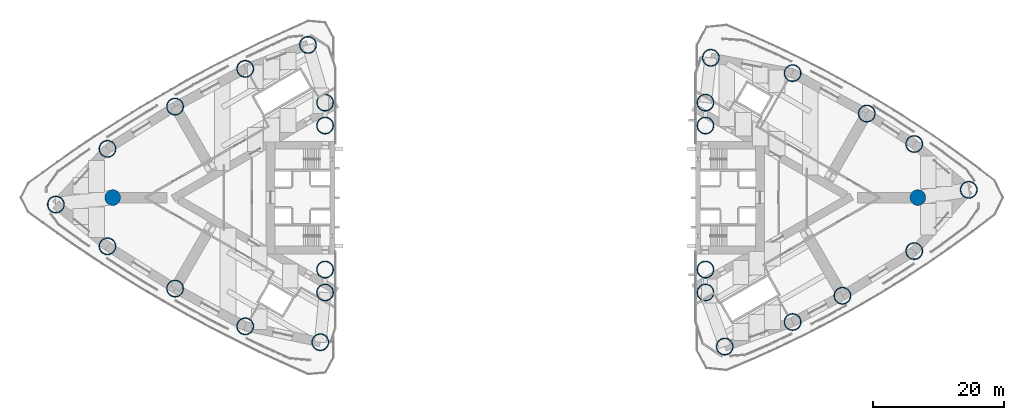
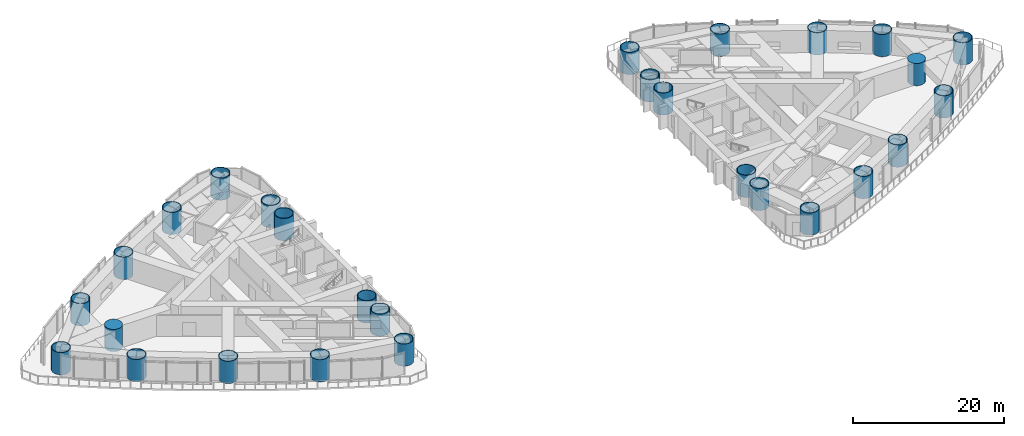
# One storey, part 1 of 19: 28 columns.
"""IFC4 building model written with IfcOpenShell, lengths in metres."""

from ifc_helpers import new_model, si_unit, direction, frame, origin, origin_2d, place, context, subcontext, project, spatial, circle, hollow_circle, extrude, material, material_profile, profile_set, type_object, element, save


model = new_model("IFC4")

# Units and contexts
model_context = context("Model", 3, precision=1e-05, world=origin(), true_north=direction((0.0, 1.0)))
body_context = subcontext(model_context, "Body", "Model", "MODEL_VIEW")
ifc_project = project(units=[si_unit("LENGTHUNIT", "METRE"), si_unit("AREAUNIT", "SQUARE_METRE"), si_unit("VOLUMEUNIT", "CUBIC_METRE"), si_unit("PLANEANGLEUNIT", "RADIAN"), si_unit("MASSUNIT", "GRAM", prefix="KILO")], contexts=[model_context])

# Site, building, storey
site_placement = place(None, origin())
site = spatial("IfcSite", under=ifc_project, at=site_placement, CompositionType="ELEMENT")
building_placement = place(site_placement, origin())
building = spatial("IfcBuilding", under=site, at=building_placement, Name="Lancet Gate Hotel", CompositionType="ELEMENT")
storey_placement = place(building_placement, frame((0.0, 0.0, 87.0)))
storey = spatial("IfcBuildingStorey", under=building, at=storey_placement, Name="L22", CompositionType="ELEMENT", Elevation=87.0)

# Columns
ifc_material_1 = material(Name="Concrete C80/95", Category="concrete")
ifc_material_profile_1 = material_profile(ifc_material_1, circle(Radius=1.199951171875, at=origin_2d()), Name="RC D2400")
ifc_profile_set_1 = profile_set([ifc_material_profile_1], Name="Concrete C80/95")
column_type_1 = type_object("IfcColumnType", Name="Apex column RC D2400", PredefinedType="COLUMN", material=ifc_profile_set_1)
for number, where, z_axis, x_axis, name in (
    (1, (-61.5, 0.0, 0.0), (0.0, 0.0, 1.0), (1.0, 0.0, 0.0), "T1 column AX L22"),
    (2, (61.5, 0.0, 0.0), (0.0, 0.0, 1.0), (1.0, 0.0, 0.0), "T2 column AX L22"),
):
    element("IfcColumn", number, at=place(storey_placement, frame(where, z_axis=z_axis, x_axis=x_axis)), inside=storey, type_object=column_type_1, Name=name, PredefinedType="COLUMN", context=body_context, shape_type="SweptSolid", body=[
        extrude(circle(Radius=1.199951171875, at=origin_2d()), origin(), (0.0, 0.0, 1.0), 3.60009765625),
    ])
ifc_material_2 = material(Name="Composite filled tube, grade 460 plate, grade 80/95 fill", Category="composite")
ifc_material_profile_2 = material_profile(ifc_material_2, hollow_circle(Radius=1.300048828125, WallThickness=0.10009765625, at=origin_2d()), Name="CHS 2600x100")
ifc_profile_set_2 = profile_set([ifc_material_profile_2], Name="Composite filled tube, grade 460 plate, grade 80/95 fill")
column_type_2 = type_object("IfcColumnType", Name="Apex corner column CFT CHS 2600x100", PredefinedType="COLUMN", material=ifc_profile_set_2)
for number, where, z_axis, x_axis, name in (
    (3, (-70.16796875, -1.06005859375, 0.0), (0.0, 0.0, 1.0), (1.0, 0.0, 0.0), "T1 column CA L22"),
    (4, (69.268798828125, 1.1865234375, 0.0), (0.0, 0.0, 1.0), (1.0, 0.0, 0.0), "T2 column CA L22"),
):
    element("IfcColumn", number, at=place(storey_placement, frame(where, z_axis=z_axis, x_axis=x_axis)), inside=storey, type_object=column_type_2, Name=name, PredefinedType="COLUMN", context=body_context, shape_type="SweptSolid", body=[
        extrude(hollow_circle(Radius=1.300048828125, WallThickness=0.10009765625, at=origin_2d()), origin(), (0.0, 0.0, 1.0), 3.60009765625),
    ])
ifc_material_3 = material(Name="Composite filled tube, grade 460 plate, grade 80/95 fill", Category="composite")
ifc_material_profile_3 = material_profile(ifc_material_3, hollow_circle(Radius=1.300048828125, WallThickness=0.10009765625, at=origin_2d()), Name="CHS 2600x100")
ifc_profile_set_3 = profile_set([ifc_material_profile_3], Name="Composite filled tube, grade 460 plate, grade 80/95 fill")
column_type_3 = type_object("IfcColumnType", Name="Perimeter column CFT CHS 2600x100", PredefinedType="COLUMN", material=ifc_profile_set_3)
for number, where, z_axis, x_axis, name in (
    (5, (-29.781005859375, -22.0947265625, 0.0), (0.0, 0.0, 1.0), (1.0, 0.0, 0.0), "T1 column CN L22"),
    (6, (-31.66455078125, 23.318359375, 0.0), (0.0, 0.0, 1.0), (1.0, 0.0, 0.0), "T1 column CS L22"),
    (7, (-29.050048828125, -11.0, 0.0), (0.0, 0.0, 1.0), (1.0, 0.0, 0.0), "T1 column IN L22"),
    (8, (-29.050048828125, 11.0, 0.0), (0.0, 0.0, 1.0), (1.0, 0.0, 0.0), "T1 column IS L22"),
    (9, (-29.050048828125, 14.5, 0.0), (0.0, 0.0, 1.0), (1.0, 0.0, 0.0), "T1 column IT L22"),
    (10, (-29.050048828125, -14.5, 0.0), (0.0, 0.0, 1.0), (1.0, 0.0, 0.0), "T1 column JT L22"),
    (11, (-62.28662109375, -7.444580078125, 0.0), (0.0, 0.0, 1.0), (1.0, 0.0, 0.0), "T1 column ON1 L22"),
    (12, (-51.963134765625, -13.89501953125, 0.0), (0.0, 0.0, 1.0), (1.0, 0.0, 0.0), "T1 column ON2 L22"),
    (13, (-41.244873046875, -19.665771484375, 0.0), (0.0, 0.0, 1.0), (1.0, 0.0, 0.0), "T1 column ON3 L22"),
    (14, (-41.244873046875, 19.665771484375, 0.0), (0.0, 0.0, 1.0), (1.0, 0.0, 0.0), "T1 column OS1 L22"),
    (15, (-51.963134765625, 13.89501953125, 0.0), (0.0, 0.0, 1.0), (1.0, 0.0, 0.0), "T1 column OS2 L22"),
    (16, (-62.28662109375, 7.444580078125, 0.0), (0.0, 0.0, 1.0), (1.0, 0.0, 0.0), "T1 column OS3 L22"),
    (17, (29.8720703125, 21.35498046875, 0.0), (0.0, 0.0, 1.0), (1.0, 0.0, 0.0), "T2 column CN L22"),
    (18, (31.99609375, -22.76318359375, 0.0), (0.0, 0.0, 1.0), (1.0, 0.0, 0.0), "T2 column CS L22"),
    (19, (29.050048828125, 11.0, 0.0), (0.0, 0.0, 1.0), (1.0, 0.0, 0.0), "T2 column IN L22"),
    (20, (29.050048828125, -11.0, 0.0), (0.0, 0.0, 1.0), (1.0, 0.0, 0.0), "T2 column IS L22"),
    (21, (29.050048828125, -14.5, 0.0), (0.0, 0.0, 1.0), (1.0, 0.0, 0.0), "T2 column IT L22"),
    (22, (29.050048828125, 14.5, 0.0), (0.0, 0.0, 1.0), (1.0, 0.0, 0.0), "T2 column JT L22"),
    (23, (60.940673828125, 8.18115234375, 0.0), (0.0, 0.0, 1.0), (1.0, 0.0, 0.0), "T2 column ON1 L22"),
    (24, (53.697021484375, 12.827392578125, 0.0), (0.0, 0.0, 1.0), (1.0, 0.0, 0.0), "T2 column ON2 L22"),
    (25, (42.3662109375, 19.007080078125, 0.0), (0.0, 0.0, 1.0), (1.0, 0.0, 0.0), "T2 column ON3 L22"),
    (26, (42.3662109375, -19.007080078125, 0.0), (0.0, 0.0, 1.0), (1.0, 0.0, 0.0), "T2 column OS1 L22"),
    (27, (49.97900390625, -14.994384765625, 0.0), (0.0, 0.0, 1.0), (1.0, 0.0, 0.0), "T2 column OS2 L22"),
    (28, (60.940673828125, -8.18115234375, 0.0), (0.0, 0.0, 1.0), (1.0, 0.0, 0.0), "T2 column OS3 L22"),
):
    element("IfcColumn", number, at=place(storey_placement, frame(where, z_axis=z_axis, x_axis=x_axis)), inside=storey, type_object=column_type_3, Name=name, PredefinedType="COLUMN", context=body_context, shape_type="SweptSolid", body=[
        extrude(hollow_circle(Radius=1.300048828125, WallThickness=0.10009765625, at=origin_2d()), origin(), (0.0, 0.0, 1.0), 3.60009765625),
    ])

save(model, "model.ifc")
